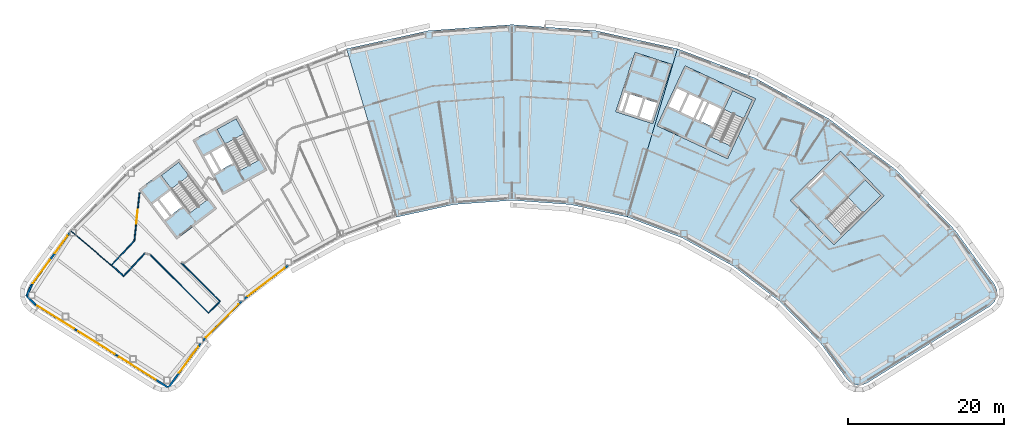
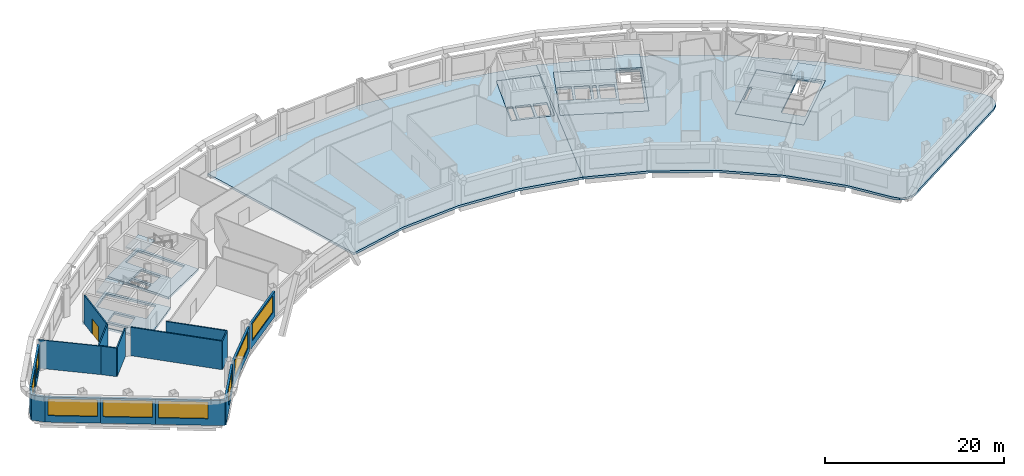
# One storey, part 4 of 16: 17 walls, 11 slabs, 8 windows, 1 door, 9 openings, 4 elements without a shape of their own.
"""IFC4 building model written with IfcOpenShell, lengths in metres."""

from ifc_helpers import new_model, si_unit, direction, frame, frame_2d, origin, place, context, subcontext, project, spatial, polyline, rectangle, outline, extrude, material, layer, layer_set, type_object, element, fill, aggregate, save


model = new_model("IFC4")

# Units and contexts
model_context = context("Model", 3, precision=1e-05, world=origin(), true_north=direction((0.0, 1.0)))
body_context = subcontext(model_context, "Body", "Model", "MODEL_VIEW")
ifc_project = project(units=[si_unit("LENGTHUNIT", "METRE"), si_unit("AREAUNIT", "SQUARE_METRE"), si_unit("VOLUMEUNIT", "CUBIC_METRE"), si_unit("PLANEANGLEUNIT", "RADIAN"), si_unit("MASSUNIT", "GRAM", prefix="KILO")], contexts=[model_context])

# Site, building, storey
site_placement = place(None, origin())
site = spatial("IfcSite", under=ifc_project, at=site_placement, CompositionType="ELEMENT")
building_placement = place(site_placement, origin())
building = spatial("IfcBuilding", under=site, at=building_placement, Name="Tuul Gate Civic Tower", CompositionType="ELEMENT")
storey_placement = place(building_placement, frame((0.0, 0.0, 298.39990234375)))
storey = spatial("IfcBuildingStorey", under=building, at=storey_placement, Name="Level 67", CompositionType="ELEMENT", Elevation=298.39990234375)

# Slabs
ifc_material_1 = material(Name="Concrete C40/50", Category="concrete")
ifc_layer_1 = layer(ifc_material_1, 0.300048828125)
ifc_layer_set_1 = layer_set([ifc_layer_1], Name="Concrete C40/50")
slab_type_1 = type_object("IfcSlabType", Name="Core floor slab 300", PredefinedType="FLOOR", material=ifc_layer_set_1)
slab_1_placement = place(storey_placement, frame((0.0, 0.0, -0.2998046875)))
element("IfcSlab", 1, at=slab_1_placement, inside=storey, type_object=slab_type_1, Name="FLOOR SLAB", PredefinedType="FLOOR", context=body_context, shape_type="SweptSolid", body=[
    extrude(outline(polyline([(-31.10009765625, -13.7890625), (-35.946044921875, -7.423828125), (-41.11767578125, -11.361572265625), (-36.271484375, -17.726806640625), (-31.10009765625, -13.7890625)]), holes=[polyline([(-35.561767578125, -13.541259765625), (-37.1064453125, -11.512451171875), (-38.498779296875, -12.572509765625), (-36.9541015625, -14.6015625), (-35.561767578125, -13.541259765625)]), polyline([(-37.19287109375, -14.783203125), (-38.737548828125, -12.75439453125), (-39.45361328125, -13.299560546875), (-37.908935546875, -15.328369140625), (-37.19287109375, -14.783203125)]), polyline([(-32.33935546875, -12.65771484375), (-34.56591796875, -14.352783203125), (-38.229736328125, -9.54052734375), (-36.003173828125, -7.845458984375), (-32.33935546875, -12.65771484375)])]), origin(), (0.0, 0.0, 1.0), 0.2998046875),
])
slab_2_placement = place(storey_placement, frame((0.0, 0.0, -0.2998046875)))
element("IfcSlab", 2, at=slab_2_placement, inside=storey, type_object=slab_type_1, Name="FLOOR SLAB", PredefinedType="FLOOR", context=body_context, shape_type="SweptSolid", body=[
    extrude(outline(polyline([(-24.638916015625, -8.846923828125), (-28.51708984375, -1.849853515625), (-34.2021484375, -5.0009765625), (-30.32421875, -11.998046875), (-24.638916015625, -8.846923828125)]), holes=[polyline([(-29.0185546875, -7.958740234375), (-30.254638671875, -5.728515625), (-31.785400390625, -6.576904296875), (-30.54931640625, -8.80712890625), (-29.0185546875, -7.958740234375)]), polyline([(-30.8115234375, -8.95263671875), (-32.047607421875, -6.72216796875), (-32.8349609375, -7.158447265625), (-31.5986328125, -9.388916015625), (-30.8115234375, -8.95263671875)]), polyline([(-25.702392578125, -7.548828125), (-28.14990234375, -8.905517578125), (-31.08203125, -3.615234375), (-28.63427734375, -2.2587890625), (-25.702392578125, -7.548828125)])]), origin(), (0.0, 0.0, 1.0), 0.2998046875),
])
slab_3_placement = place(storey_placement, frame((0.0, 0.0, -0.2998046875)))
element("IfcSlab", 3, at=slab_3_placement, inside=storey, type_object=slab_type_1, Name="FLOOR SLAB", PredefinedType="FLOOR", context=body_context, shape_type="SweptSolid", body=[
    extrude(outline(polyline([(48.117919921875, -18.43310546875), (54.545166015625, -12.1328125), (48.945068359375, -6.419921875), (42.517822265625, -12.719970703125), (48.117919921875, -18.43310546875)]), holes=[polyline([(44.93896484375, -11.046875), (46.760009765625, -9.261962890625), (46.514892578125, -9.011962890625), (44.69384765625, -10.797119140625), (44.93896484375, -11.046875)]), polyline([(49.086181640625, -17.062744140625), (47.12744140625, -15.064208984375), (52.160888671875, -10.130126953125), (54.11962890625, -12.128662109375), (49.086181640625, -17.062744140625)])]), origin(), (0.0, 0.0, 1.0), 0.2998046875),
])
slab_4_placement = place(storey_placement, frame((0.0, 0.0, -0.2998046875)))
element("IfcSlab", 4, at=slab_4_placement, inside=storey, type_object=slab_type_1, Name="FLOOR SLAB", PredefinedType="FLOOR", context=body_context, shape_type="SweptSolid", body=[
    extrude(outline(polyline([(34.465087890625, -7.385986328125), (38.056884765625, 0.31787109375), (28.993896484375, 4.543701171875), (25.40185546875, -3.159912109375), (34.465087890625, -7.385986328125)]), holes=[polyline([(32.60888671875, -3.32080078125), (33.6865234375, -1.009765625), (32.1005859375, -0.27001953125), (31.02294921875, -2.581298828125), (32.60888671875, -3.32080078125)]), polyline([(30.0712890625, -2.137451171875), (31.14892578125, 0.173583984375), (29.562744140625, 0.9130859375), (28.4853515625, -1.39794921875), (30.0712890625, -2.137451171875)]), polyline([(30.751220703125, -2.454345703125), (31.82861328125, -0.143310546875), (31.4208984375, 0.046875), (30.34326171875, -2.264404296875), (30.751220703125, -2.454345703125)]), polyline([(28.21337890625, -1.27099609375), (29.291015625, 1.0400390625), (27.8408203125, 1.71630859375), (26.76318359375, -0.594970703125), (28.21337890625, -1.27099609375)]), polyline([(34.889892578125, -5.7626953125), (32.353759765625, -4.580078125), (35.120849609375, 1.354736328125), (37.6572265625, 0.17236328125), (34.889892578125, -5.7626953125)])]), origin(), (0.0, 0.0, 1.0), 0.2998046875),
])
ifc_material_2 = material(Name="Concrete C40/50", Category="concrete")
ifc_layer_2 = layer(ifc_material_2, 0.300048828125)
ifc_layer_set_2 = layer_set([ifc_layer_2], Name="Concrete C40/50")
slab_type_2 = type_object("IfcSlabType", Name="Core floor slab 300 non-bearing", PredefinedType="FLOOR", material=ifc_layer_set_2)
slab_5_placement = place(storey_placement, frame((0.0, 0.0, -0.2998046875)))
element("IfcSlab", 5, at=slab_5_placement, inside=storey, type_object=slab_type_2, Name="FLOOR SLAB", PredefinedType="FLOOR", context=body_context, shape_type="SweptSolid", body=[
    extrude(outline(polyline([(24.864990234375, -2.888916015625), (27.337890625, 4.71923828125), (22.58251953125, 6.264404296875), (20.109619140625, -1.343994140625), (24.864990234375, -2.888916015625)]), holes=[polyline([(24.67236328125, -2.510986328125), (25.414306640625, -0.228515625), (23.892578125, 0.265869140625), (23.150634765625, -2.0166015625), (24.67236328125, -2.510986328125)]), polyline([(22.865478515625, -1.923828125), (23.607177734375, 0.358642578125), (21.94287109375, 0.8994140625), (21.201171875, -1.383056640625), (22.865478515625, -1.923828125)]), polyline([(20.869384765625, -1.43310546875), (21.65771484375, 0.9921875), (21.0869140625, 1.177490234375), (20.298583984375, -1.24755859375), (20.869384765625, -1.43310546875)])]), origin(), (0.0, 0.0, 1.0), 0.2998046875),
])

# Stair, slab
ifc_material_3 = material(Name="Concrete C40/50", Category="concrete")
stair_type = type_object("IfcStairType", Name="Exit stair", PredefinedType="HALF_TURN_STAIR", material=ifc_material_3)
stair_1_placement = place(storey_placement, origin())
stair_1 = element("IfcStair", 6, at=stair_1_placement, inside=storey, type_object=stair_type, Name="Level 67 ST-1", PredefinedType="HALF_TURN_STAIR")
ifc_material_4 = material(Name="Concrete C40/50", Category="concrete")
ifc_layer_3 = layer(ifc_material_4, 0.199951171875)
ifc_layer_set_3 = layer_set([ifc_layer_3], Name="Concrete C40/50")
slab_type_3 = type_object("IfcSlabType", Name="Exit stair landing", PredefinedType="LANDING", material=ifc_layer_set_3)
slab_6_placement = place(storey_placement, frame((0.0, 0.0, 1.900146484375)))
slab_6 = element("IfcSlab", 7, at=slab_6_placement, type_object=slab_type_3, Name="ST-1 landing 1", PredefinedType="LANDING", context=body_context, shape_type="SweptSolid", body=[
    extrude(outline(polyline([(-34.699462890625, -9.554931640625), (-36.9287109375, -11.252197265625), (-38.23193359375, -9.540283203125), (-36.0029296875, -7.843017578125), (-34.699462890625, -9.554931640625)])), origin(), (0.0, 0.0, 1.0), 0.199951171875),
])
aggregate(stair_1, [slab_6])

stair_2_placement = place(storey_placement, origin())
stair_2 = element("IfcStair", 8, at=stair_2_placement, inside=storey, type_object=stair_type, Name="Level 67 ST-2", PredefinedType="HALF_TURN_STAIR")
slab_7_placement = place(storey_placement, frame((0.0, 0.0, 1.900146484375)))
slab_7 = element("IfcSlab", 9, at=slab_7_placement, type_object=slab_type_3, Name="ST-2 landing 1", PredefinedType="LANDING", context=body_context, shape_type="SweptSolid", body=[
    extrude(outline(polyline([(-27.5908203125, -4.138427734375), (-30.041015625, -5.49658203125), (-31.084228515625, -3.61474609375), (-28.6337890625, -2.256591796875), (-27.5908203125, -4.138427734375)])), origin(), (0.0, 0.0, 1.0), 0.199951171875),
])
aggregate(stair_2, [slab_7])

stair_3_placement = place(storey_placement, origin())
stair_3 = element("IfcStair", 10, at=stair_3_placement, inside=storey, type_object=stair_type, Name="Level 67 ST-3", PredefinedType="HALF_TURN_STAIR")
slab_8_placement = place(storey_placement, frame((0.0, 0.0, 1.900146484375)))
slab_8 = element("IfcSlab", 11, at=slab_8_placement, type_object=slab_type_3, Name="ST-3 landing 1", PredefinedType="LANDING", context=body_context, shape_type="SweptSolid", body=[
    extrude(outline(polyline([(51.871337890625, -14.3349609375), (49.91015625, -12.334228515625), (52.160888671875, -10.1279296875), (54.1220703125, -12.128662109375), (51.871337890625, -14.3349609375)])), origin(), (0.0, 0.0, 1.0), 0.199951171875),
])
aggregate(stair_3, [slab_8])

stair_4_placement = place(storey_placement, origin())
stair_4 = element("IfcStair", 12, at=stair_4_placement, inside=storey, type_object=stair_type, Name="Level 67 ST-4", PredefinedType="HALF_TURN_STAIR")
slab_9_placement = place(storey_placement, frame((0.0, 0.0, 1.900146484375)))
slab_9 = element("IfcSlab", 13, at=slab_9_placement, type_object=slab_type_3, Name="ST-4 landing 1", PredefinedType="LANDING", context=body_context, shape_type="SweptSolid", body=[
    extrude(outline(polyline([(36.538818359375, -2.230224609375), (33.999755859375, -1.046142578125), (35.1201171875, 1.35693359375), (37.659423828125, 0.173095703125), (36.538818359375, -2.230224609375)])), origin(), (0.0, 0.0, 1.0), 0.199951171875),
])
aggregate(stair_4, [slab_9])

# Slabs
ifc_material_5 = material(Name="Concrete C35/45", Category="concrete")
ifc_layer_4 = layer(ifc_material_5, 0.300048828125)
ifc_layer_set_4 = layer_set([ifc_layer_4], Name="Concrete C35/45")
slab_type_4 = type_object("IfcSlabType", Name="STR-FLOOR-SLAB-300", PredefinedType="FLOOR", material=ifc_layer_set_4)
slab_10_placement = place(storey_placement, frame((0.0, 0.0, -0.2998046875)))
element("IfcSlab", 14, at=slab_10_placement, inside=storey, type_object=slab_type_4, Name="Level 67/slab/M", PredefinedType="FLOOR", context=body_context, shape_type="SweptSolid", body=[
    extrude(outline(polyline([(21.60205078125, -14.883056640625), (28.035888671875, 6.739013671875), (17.52392578125, 9.054931640625), (6.7880859375, 9.8330078125), (-3.947998046875, 9.054931640625), (-14.4599609375, 6.739013671875), (-8.02587890625, -14.883056640625), (-0.697021484375, -13.26806640625), (6.7880859375, -12.72607421875), (14.27294921875, -13.26806640625), (21.60205078125, -14.883056640625)]), holes=[polyline([(20.110107421875, -1.343994140625), (22.58203125, 6.264892578125), (27.337890625, 4.719970703125), (24.864990234375, -2.888916015625), (20.110107421875, -1.343994140625)])]), origin(), (0.0, 0.0, 1.0), 0.2998046875),
])
slab_11_placement = place(storey_placement, frame((0.0, 0.0, -0.2998046875)))
element("IfcSlab", 15, at=slab_11_placement, inside=storey, type_object=slab_type_4, Name="Level 67/slab/E", PredefinedType="FLOOR", context=body_context, shape_type="SweptSolid", body=[
    extrude(outline(polyline([(51.719970703125, -36.427001953125), (52.4140625, -36.156005859375), (68.14404296875, -26.326904296875), (68.73388671875, -25.762939453125), (69.048095703125, -25.010009765625), (69.035888671875, -24.195068359375), (68.699951171875, -23.451904296875), (63.618896484375, -16.4951171875), (56.083984375, -8.80810546875), (47.51904296875, -2.287109375), (38.10498046875, 2.930908203125), (28.035888671875, 6.739013671875), (21.60205078125, -14.883056640625), (28.6220703125, -17.5380859375), (35.18603515625, -21.176025390625), (41.156982421875, -25.721923828125), (46.409912109375, -31.08203125), (49.739013671875, -35.639892578125), (50.282958984375, -36.14892578125), (50.97509765625, -36.424072265625), (51.719970703125, -36.427001953125)]), holes=[polyline([(48.117919921875, -18.43310546875), (42.51806640625, -12.719970703125), (48.945068359375, -6.419921875), (54.544921875, -12.133056640625), (48.117919921875, -18.43310546875)]), polyline([(25.402099609375, -3.159912109375), (28.993896484375, 4.5439453125), (38.056884765625, 0.318115234375), (34.465087890625, -7.385986328125), (25.402099609375, -3.159912109375)])]), origin(), (0.0, 0.0, 1.0), 0.2998046875),
])

# Wall, opening, door
ifc_material_6 = material(Name="Gypsum board partition")
ifc_layer_5 = layer(ifc_material_6, 0.14990234375)
ifc_layer_set_5 = layer_set([ifc_layer_5], Name="Gypsum board partition")
wall_type_1 = type_object("IfcWallType", Name="Corridor wall P150", PredefinedType="PARTITIONING", material=ifc_layer_set_5)
wall_1_placement = place(storey_placement, frame((-41.693603515625, -17.896484375, 0.0), z_axis=(0.0, 0.0, 1.0), x_axis=(0.107454503647, 0.994210002789, 0.0)))
wall_1 = element("IfcWall", 16, at=wall_1_placement, inside=storey, type_object=wall_type_1, Name="p044", PredefinedType="PARTITIONING", context=body_context, shape_type="SweptSolid", body=[
    extrude(rectangle(XDim=6.20263671875, YDim=0.14990234375, at=frame_2d((3.101318359375, 0.0))), origin(), (0.0, 0.0, 1.0), 3.900146484375),
])
opening_1_placement = place(wall_1_placement, frame((2.201416015625, 0.0, 0.0)))
opening_1 = element("IfcOpeningElement", 17, at=opening_1_placement, cuts=wall_1, Name="Opening Y-D06", PredefinedType="OPENING", context=body_context, shape_type="SweptSolid", body=[
    extrude(rectangle(XDim=1.800048828125, YDim=2.10009765625, at=frame_2d((0.89990234375, 1.050048828125))), frame((0.0, 0.0849609375, 0.0), z_axis=(0.0, -1.0, 0.0), x_axis=(1.0, 0.0, 0.0)), (0.0, 0.0, 1.0), 0.169921875),
])
ifc_material_7 = material(Name="Timber door leaf, double", Category="wood")
door_type = type_object("IfcDoorType", Name="Door D18", OperationType="DOUBLE_DOOR_SINGLE_SWING", PredefinedType="DOOR", material=ifc_material_7)
door_placement = place(opening_1_placement, origin())
door = element("IfcDoor", 18, at=door_placement, inside=storey, type_object=door_type, Name="Door Y-D06", OperationType="DOUBLE_DOOR_SINGLE_SWING", OverallHeight=2.10009765625, OverallWidth=1.800048828125, PredefinedType="DOOR", context=body_context, shape_type="SweptSolid", body=[
    extrude(rectangle(XDim=1.800048828125, YDim=2.10009765625, at=frame_2d((0.89990234375, 1.050048828125))), frame((0.0, 0.02490234375, 0.0), z_axis=(0.0, -1.0, 0.0), x_axis=(1.0, 0.0, 0.0)), (0.0, 0.0, 1.0), 0.050048828125),
])
fill(opening_1, door)

# Walls
wall_2_placement = place(storey_placement, frame((-44.6142578125, -21.029052734375, 0.0), z_axis=(0.0, 0.0, 1.0), x_axis=(0.68265633177, 0.730739579259, 0.0)))
element("IfcWall", 19, at=wall_2_placement, inside=storey, type_object=wall_type_1, Name="p045", PredefinedType="PARTITIONING", context=body_context, shape_type="SweptSolid", body=[
    extrude(rectangle(XDim=4.27001953125, YDim=0.14990234375, at=frame_2d((2.135009765625, 0.0))), origin(), (0.0, 0.0, 1.0), 3.900146484375),
])
wall_3_placement = place(storey_placement, frame((-44.39306640625, -21.236572265625, 0.0), z_axis=(0.0, 0.0, 1.0), x_axis=(0.730747937215, -0.682647385007, 0.0)))
element("IfcWall", 20, at=wall_3_placement, inside=storey, type_object=wall_type_1, Name="p046", PredefinedType="PARTITIONING", context=body_context, shape_type="SweptSolid", body=[
    extrude(rectangle(XDim=1.796875, YDim=0.14990234375, at=frame_2d((0.8984375, 0.0))), origin(), (0.0, 0.0, 1.0), 3.900146484375),
])
wall_4_placement = place(storey_placement, frame((-43.080078125, -22.463134765625, 0.0), z_axis=(0.0, 0.0, 1.0), x_axis=(0.682698460931, 0.730700219955, 0.0)))
element("IfcWall", 21, at=wall_4_placement, inside=storey, type_object=wall_type_1, Name="p078", PredefinedType="PARTITIONING", context=body_context, shape_type="SweptSolid", body=[
    extrude(rectangle(XDim=4.002685546875, YDim=0.14990234375, at=frame_2d((2.00146484375, 0.0))), origin(), (0.0, 0.0, 1.0), 3.900146484375),
])
wall_5_placement = place(storey_placement, frame((-39.660400390625, -19.703369140625, 0.0), z_axis=(0.0, 0.0, 1.0), x_axis=(0.707106781187, -0.707106781187, 0.0)))
element("IfcWall", 22, at=wall_5_placement, inside=storey, type_object=wall_type_1, Name="p081", PredefinedType="PARTITIONING", context=body_context, shape_type="SweptSolid", body=[
    extrude(rectangle(XDim=10.580078125, YDim=0.14990234375, at=frame_2d((5.2900390625, 0.0))), origin(), (0.0, 0.0, 1.0), 3.900146484375),
])
wall_6_placement = place(storey_placement, frame((-32.17919921875, -27.1845703125, 0.0), z_axis=(0.0, 0.0, 1.0), x_axis=(0.707164905125, 0.70704865247, 0.0)))
element("IfcWall", 23, at=wall_6_placement, inside=storey, type_object=wall_type_1, Name="p082", PredefinedType="PARTITIONING", context=body_context, shape_type="SweptSolid", body=[
    extrude(rectangle(XDim=2.10009765625, YDim=0.14990234375, at=frame_2d((1.050048828125, 0.0))), origin(), (0.0, 0.0, 1.0), 3.900146484375),
])
wall_7_placement = place(storey_placement, frame((-35.668701171875, -20.72509765625, 0.0), z_axis=(0.0, 0.0, 1.0), x_axis=(0.707106781187, -0.707106781187, 0.0)))
element("IfcWall", 24, at=wall_7_placement, inside=storey, type_object=wall_type_1, Name="p083", PredefinedType="PARTITIONING", context=body_context, shape_type="SweptSolid", body=[
    extrude(rectangle(XDim=7.03515625, YDim=0.14990234375, at=frame_2d((3.517578125, 0.0))), origin(), (0.0, 0.0, 1.0), 3.900146484375),
])

# Wall, openings, windows
ifc_material_8 = material(Name="Precast concrete C40/50", Category="concrete")
ifc_layer_6 = layer(ifc_material_8, 0.25)
ifc_layer_set_6 = layer_set([ifc_layer_6], Name="Precast concrete C40/50")
wall_type_2 = type_object("IfcWallType", Name="External wall", PredefinedType="STANDARD", material=ifc_layer_set_6)
wall_8_placement = place(storey_placement, frame((-49.98388671875, -16.880615234375, 0.0), z_axis=(0.0, 0.0, 1.0), x_axis=(-0.589770614985, -0.807570815285, 0.0)))
wall_8 = element("IfcWall", 25, at=wall_8_placement, inside=storey, type_object=wall_type_2, Name="External wall", PredefinedType="STANDARD", context=body_context, shape_type="SweptSolid", body=[
    extrude(rectangle(XDim=8.337646484375, YDim=0.25, at=frame_2d((4.1689453125, 0.0))), origin(), (0.0, 0.0, 1.0), 3.4501953125),
])
opening_2_placement = place(wall_8_placement, frame((0.48486328125, 0.0, 0.89990234375)))
opening_2 = element("IfcOpeningElement", 26, at=opening_2_placement, cuts=wall_8, Name="Opening W23", PredefinedType="OPENING", context=body_context, shape_type="SweptSolid", body=[
    extrude(rectangle(XDim=2.800048828125, YDim=2.300048828125, at=frame_2d((1.39990234375, 1.14990234375))), frame((0.0, 0.135009765625, 0.0), z_axis=(0.0, -1.0, 0.0), x_axis=(1.0, 0.0, 0.0)), (0.0, 0.0, 1.0), 0.27001953125),
])
opening_3_placement = place(wall_8_placement, frame((4.33642578125, 0.0, 0.89990234375)))
opening_3 = element("IfcOpeningElement", 27, at=opening_3_placement, cuts=wall_8, Name="Opening W21", PredefinedType="OPENING", context=body_context, shape_type="SweptSolid", body=[
    extrude(rectangle(XDim=3.699951171875, YDim=2.300048828125, at=frame_2d((1.85009765625, 1.14990234375))), frame((0.0, 0.135009765625, 0.0), z_axis=(0.0, -1.0, 0.0), x_axis=(1.0, 0.0, 0.0)), (0.0, 0.0, 1.0), 0.27001953125),
])
ifc_material_9 = material(Name="Glass", Category="glass")
window_type_1 = type_object("IfcWindowType", Name="Window W21 3700 x 2300", PartitioningType="SINGLE_PANEL", PredefinedType="WINDOW", material=ifc_material_9)
window_1_placement = place(opening_3_placement, origin())
window_1 = element("IfcWindow", 28, at=window_1_placement, inside=storey, type_object=window_type_1, Name="Window", OverallHeight=2.300048828125, OverallWidth=3.699951171875, PartitioningType="SINGLE_PANEL", PredefinedType="WINDOW", context=body_context, shape_type="SweptSolid", body=[
    extrude(rectangle(XDim=3.699951171875, YDim=2.300048828125, at=frame_2d((1.85009765625, 1.14990234375))), frame((0.0, 0.030029296875, 0.0), z_axis=(0.0, -1.0, 0.0), x_axis=(1.0, 0.0, 0.0)), (0.0, 0.0, 1.0), 0.06005859375),
])
fill(opening_3, window_1)
ifc_material_10 = material(Name="Glass", Category="glass")
window_type_2 = type_object("IfcWindowType", Name="Window W23 2800 x 2300", PartitioningType="SINGLE_PANEL", PredefinedType="WINDOW", material=ifc_material_10)
window_2_placement = place(opening_2_placement, origin())
window_2 = element("IfcWindow", 29, at=window_2_placement, inside=storey, type_object=window_type_2, Name="Window", OverallHeight=2.300048828125, OverallWidth=2.800048828125, PartitioningType="SINGLE_PANEL", PredefinedType="WINDOW", context=body_context, shape_type="SweptSolid", body=[
    extrude(rectangle(XDim=2.800048828125, YDim=2.300048828125, at=frame_2d((1.39990234375, 1.14990234375))), frame((0.0, 0.030029296875, 0.0), z_axis=(0.0, -1.0, 0.0), x_axis=(1.0, 0.0, 0.0)), (0.0, 0.0, 1.0), 0.06005859375),
])
fill(opening_2, window_2)

# Walls
wall_9_placement = place(storey_placement, frame((-54.88818359375, -23.591796875, 0.0), z_axis=(0.0, 0.0, 1.0), x_axis=(-0.413556849361, -0.910478298669, 0.0)))
element("IfcWall", 30, at=wall_9_placement, inside=storey, type_object=wall_type_2, Name="External wall", PredefinedType="STANDARD", context=body_context, shape_type="SweptSolid", body=[
    extrude(rectangle(XDim=1.56982421875, YDim=0.25, at=frame_2d((0.784912109375, 0.0))), origin(), (0.0, 0.0, 1.0), 3.4501953125),
])
wall_10_placement = place(storey_placement, frame((-55.537353515625, -25.02099609375, 0.0), z_axis=(0.0, 0.0, 1.0), x_axis=(0.721623018899, -0.692286225917, 0.0)))
element("IfcWall", 31, at=wall_10_placement, inside=storey, type_object=wall_type_2, Name="External wall", PredefinedType="STANDARD", context=body_context, shape_type="SweptSolid", body=[
    extrude(rectangle(XDim=1.57275390625, YDim=0.25, at=frame_2d((0.786376953125, 0.0))), origin(), (0.0, 0.0, 1.0), 3.4501953125),
])

# Wall, opening, window
wall_11_placement = place(storey_placement, frame((-54.4228515625, -26.093994140625, 0.0), z_axis=(0.0, 0.0, 1.0), x_axis=(0.848053758074, -0.529910203164, 0.0)))
wall_11 = element("IfcWall", 32, at=wall_11_placement, inside=storey, type_object=wall_type_2, Name="External wall", PredefinedType="STANDARD", context=body_context, shape_type="SweptSolid", body=[
    extrude(rectangle(XDim=6.182861328125, YDim=0.25, at=frame_2d((3.09130859375, 0.0))), origin(), (0.0, 0.0, 1.0), 3.4501953125),
])
opening_4_placement = place(wall_11_placement, frame((0.31640625, 0.0, 0.89990234375)))
opening_4 = element("IfcOpeningElement", 33, at=opening_4_placement, cuts=wall_11, Name="Opening W24", PredefinedType="OPENING", context=body_context, shape_type="SweptSolid", body=[
    extrude(rectangle(XDim=5.550048828125, YDim=2.300048828125, at=frame_2d((2.77490234375, 1.14990234375))), frame((0.0, 0.135009765625, 0.0), z_axis=(0.0, -1.0, 0.0), x_axis=(1.0, 0.0, 0.0)), (0.0, 0.0, 1.0), 0.27001953125),
])
ifc_material_11 = material(Name="Glass", Category="glass")
window_type_3 = type_object("IfcWindowType", Name="Window W24 5550 x 2300", PartitioningType="SINGLE_PANEL", PredefinedType="WINDOW", material=ifc_material_11)
window_3_placement = place(opening_4_placement, origin())
window_3 = element("IfcWindow", 34, at=window_3_placement, inside=storey, type_object=window_type_3, Name="Window", OverallHeight=2.300048828125, OverallWidth=5.550048828125, PartitioningType="SINGLE_PANEL", PredefinedType="WINDOW", context=body_context, shape_type="SweptSolid", body=[
    extrude(rectangle(XDim=5.550048828125, YDim=2.300048828125, at=frame_2d((2.77490234375, 1.14990234375))), frame((0.0, 0.030029296875, 0.0), z_axis=(0.0, -1.0, 0.0), x_axis=(1.0, 0.0, 0.0)), (0.0, 0.0, 1.0), 0.06005859375),
])
fill(opening_4, window_3)

wall_12_placement = place(storey_placement, frame((-49.179443359375, -29.370361328125, 0.0), z_axis=(0.0, 0.0, 1.0), x_axis=(0.848053758074, -0.529910203164, 0.0)))
wall_12 = element("IfcWall", 35, at=wall_12_placement, inside=storey, type_object=wall_type_2, Name="External wall", PredefinedType="STANDARD", context=body_context, shape_type="SweptSolid", body=[
    extrude(rectangle(XDim=6.182861328125, YDim=0.25, at=frame_2d((3.09130859375, 0.0))), origin(), (0.0, 0.0, 1.0), 3.4501953125),
])
opening_5_placement = place(wall_12_placement, frame((0.31640625, 0.0, 0.89990234375)))
opening_5 = element("IfcOpeningElement", 36, at=opening_5_placement, cuts=wall_12, Name="Opening W24", PredefinedType="OPENING", context=body_context, shape_type="SweptSolid", body=[
    extrude(rectangle(XDim=5.550048828125, YDim=2.300048828125, at=frame_2d((2.77490234375, 1.14990234375))), frame((0.0, 0.135009765625, 0.0), z_axis=(0.0, -1.0, 0.0), x_axis=(1.0, 0.0, 0.0)), (0.0, 0.0, 1.0), 0.27001953125),
])
window_4_placement = place(opening_5_placement, origin())
window_4 = element("IfcWindow", 37, at=window_4_placement, inside=storey, type_object=window_type_3, Name="Window", OverallHeight=2.300048828125, OverallWidth=5.550048828125, PartitioningType="SINGLE_PANEL", PredefinedType="WINDOW", context=body_context, shape_type="SweptSolid", body=[
    extrude(rectangle(XDim=5.550048828125, YDim=2.300048828125, at=frame_2d((2.77490234375, 1.14990234375))), frame((0.0, 0.030029296875, 0.0), z_axis=(0.0, -1.0, 0.0), x_axis=(1.0, 0.0, 0.0)), (0.0, 0.0, 1.0), 0.06005859375),
])
fill(opening_5, window_4)

wall_13_placement = place(storey_placement, frame((-43.93603515625, -32.646728515625, 0.0), z_axis=(0.0, 0.0, 1.0), x_axis=(0.848051131154, -0.529914407191, 0.0)))
wall_13 = element("IfcWall", 38, at=wall_13_placement, inside=storey, type_object=wall_type_2, Name="External wall", PredefinedType="STANDARD", context=body_context, shape_type="SweptSolid", body=[
    extrude(rectangle(XDim=7.788330078125, YDim=0.25, at=frame_2d((3.89404296875, 0.0))), origin(), (0.0, 0.0, 1.0), 3.4501953125),
])
opening_6_placement = place(wall_13_placement, frame((0.31640625, 0.0, 0.89990234375)))
opening_6 = element("IfcOpeningElement", 39, at=opening_6_placement, cuts=wall_13, Name="Opening W24", PredefinedType="OPENING", context=body_context, shape_type="SweptSolid", body=[
    extrude(rectangle(XDim=5.550048828125, YDim=2.300048828125, at=frame_2d((2.77490234375, 1.14990234375))), frame((0.0, 0.135009765625, 0.0), z_axis=(0.0, -1.0, 0.0), x_axis=(1.0, 0.0, 0.0)), (0.0, 0.0, 1.0), 0.27001953125),
])
window_5_placement = place(opening_6_placement, origin())
window_5 = element("IfcWindow", 40, at=window_5_placement, inside=storey, type_object=window_type_3, Name="Window", OverallHeight=2.300048828125, OverallWidth=5.550048828125, PartitioningType="SINGLE_PANEL", PredefinedType="WINDOW", context=body_context, shape_type="SweptSolid", body=[
    extrude(rectangle(XDim=5.550048828125, YDim=2.300048828125, at=frame_2d((2.77490234375, 1.14990234375))), frame((0.0, 0.030029296875, 0.0), z_axis=(0.0, -1.0, 0.0), x_axis=(1.0, 0.0, 0.0)), (0.0, 0.0, 1.0), 0.06005859375),
])
fill(opening_6, window_5)

wall_14_placement = place(storey_placement, frame((-37.3310546875, -36.77392578125, 0.0), z_axis=(0.0, 0.0, 1.0), x_axis=(0.589738966527, 0.807593927267, 0.0)))
wall_14 = element("IfcWall", 41, at=wall_14_placement, inside=storey, type_object=wall_type_2, Name="External wall", PredefinedType="STANDARD", context=body_context, shape_type="SweptSolid", body=[
    extrude(rectangle(XDim=7.034423828125, YDim=0.25, at=frame_2d((3.51708984375, 0.0))), origin(), (0.0, 0.0, 1.0), 3.4501953125),
])
opening_7_placement = place(wall_14_placement, frame((2.356689453125, 0.0, 0.89990234375)))
opening_7 = element("IfcOpeningElement", 42, at=opening_7_placement, cuts=wall_14, Name="Opening W25", PredefinedType="OPENING", context=body_context, shape_type="SweptSolid", body=[
    extrude(rectangle(XDim=4.14990234375, YDim=2.300048828125, at=frame_2d((2.074951171875, 1.14990234375))), frame((0.0, 0.135009765625, 0.0), z_axis=(0.0, -1.0, 0.0), x_axis=(1.0, 0.0, 0.0)), (0.0, 0.0, 1.0), 0.27001953125),
])
ifc_material_12 = material(Name="Glass", Category="glass")
window_type_4 = type_object("IfcWindowType", Name="Window W25 4150 x 2300", PartitioningType="SINGLE_PANEL", PredefinedType="WINDOW", material=ifc_material_12)
window_6_placement = place(opening_7_placement, origin())
window_6 = element("IfcWindow", 43, at=window_6_placement, inside=storey, type_object=window_type_4, Name="Window", OverallHeight=2.300048828125, OverallWidth=4.14990234375, PartitioningType="SINGLE_PANEL", PredefinedType="WINDOW", context=body_context, shape_type="SweptSolid", body=[
    extrude(rectangle(XDim=4.14990234375, YDim=2.300048828125, at=frame_2d((2.074951171875, 1.14990234375))), frame((0.0, 0.030029296875, 0.0), z_axis=(0.0, -1.0, 0.0), x_axis=(1.0, 0.0, 0.0)), (0.0, 0.0, 1.0), 0.06005859375),
])
fill(opening_7, window_6)

wall_15_placement = place(storey_placement, frame((-32.89306640625, -30.749267578125, 0.0), z_axis=(0.0, 0.0, 1.0), x_axis=(0.700033997015, 0.714109517528, 0.0)))
wall_15 = element("IfcWall", 44, at=wall_15_placement, inside=storey, type_object=wall_type_2, Name="External wall", PredefinedType="STANDARD", context=body_context, shape_type="SweptSolid", body=[
    extrude(rectangle(XDim=7.111572265625, YDim=0.25, at=frame_2d((3.5556640625, 0.0))), origin(), (0.0, 0.0, 1.0), 3.4501953125),
])
opening_8_placement = place(wall_15_placement, frame((0.555908203125, 0.0, 0.89990234375)))
opening_8 = element("IfcOpeningElement", 45, at=opening_8_placement, cuts=wall_15, Name="Opening W26", PredefinedType="OPENING", context=body_context, shape_type="SweptSolid", body=[
    extrude(rectangle(XDim=6.0, YDim=2.300048828125, at=frame_2d((3.0, 1.14990234375))), frame((0.0, 0.135009765625, 0.0), z_axis=(0.0, -1.0, 0.0), x_axis=(1.0, 0.0, 0.0)), (0.0, 0.0, 1.0), 0.27001953125),
])
ifc_material_13 = material(Name="Glass", Category="glass")
window_type_5 = type_object("IfcWindowType", Name="Window W26 6000 x 2300", PartitioningType="SINGLE_PANEL", PredefinedType="WINDOW", material=ifc_material_13)
window_7_placement = place(opening_8_placement, origin())
window_7 = element("IfcWindow", 46, at=window_7_placement, inside=storey, type_object=window_type_5, Name="Window", OverallHeight=2.300048828125, OverallWidth=6.0, PartitioningType="SINGLE_PANEL", PredefinedType="WINDOW", context=body_context, shape_type="SweptSolid", body=[
    extrude(rectangle(XDim=6.0, YDim=2.300048828125, at=frame_2d((3.0, 1.14990234375))), frame((0.0, 0.030029296875, 0.0), z_axis=(0.0, -1.0, 0.0), x_axis=(1.0, 0.0, 0.0)), (0.0, 0.0, 1.0), 0.06005859375),
])
fill(opening_8, window_7)

wall_16_placement = place(storey_placement, frame((-27.5791015625, -25.3759765625, 0.0), z_axis=(0.0, 0.0, 1.0), x_axis=(0.795582375141, 0.605845429433, 0.0)))
wall_16 = element("IfcWall", 47, at=wall_16_placement, inside=storey, type_object=wall_type_2, Name="External wall", PredefinedType="STANDARD", context=body_context, shape_type="SweptSolid", body=[
    extrude(rectangle(XDim=7.10400390625, YDim=0.25, at=frame_2d((3.552001953125, 0.0))), origin(), (0.0, 0.0, 1.0), 3.4501953125),
])
opening_9_placement = place(wall_16_placement, frame((0.541259765625, 0.0, 0.89990234375)))
opening_9 = element("IfcOpeningElement", 48, at=opening_9_placement, cuts=wall_16, Name="Opening W26", PredefinedType="OPENING", context=body_context, shape_type="SweptSolid", body=[
    extrude(rectangle(XDim=6.0, YDim=2.300048828125, at=frame_2d((3.0, 1.14990234375))), frame((0.0, 0.135009765625, 0.0), z_axis=(0.0, -1.0, 0.0), x_axis=(1.0, 0.0, 0.0)), (0.0, 0.0, 1.0), 0.27001953125),
])
window_8_placement = place(opening_9_placement, origin())
window_8 = element("IfcWindow", 49, at=window_8_placement, inside=storey, type_object=window_type_5, Name="Window", OverallHeight=2.300048828125, OverallWidth=6.0, PartitioningType="SINGLE_PANEL", PredefinedType="WINDOW", context=body_context, shape_type="SweptSolid", body=[
    extrude(rectangle(XDim=6.0, YDim=2.300048828125, at=frame_2d((3.0, 1.14990234375))), frame((0.0, 0.030029296875, 0.0), z_axis=(0.0, -1.0, 0.0), x_axis=(1.0, 0.0, 0.0)), (0.0, 0.0, 1.0), 0.06005859375),
])
fill(opening_9, window_8)

# Wall
ifc_material_14 = material(Name="Gypsum board partition")
ifc_layer_7 = layer(ifc_material_14, 0.10009765625)
ifc_layer_set_7 = layer_set([ifc_layer_7], Name="Gypsum board partition")
wall_type_3 = type_object("IfcWallType", Name="Partition P100", PredefinedType="PARTITIONING", material=ifc_layer_set_7)
wall_17_placement = place(storey_placement, frame((-49.83642578125, -16.669921875, 0.0), z_axis=(0.0, 0.0, 1.0), x_axis=(0.762820003428, -0.646610889461, 0.0)))
element("IfcWall", 50, at=wall_17_placement, inside=storey, type_object=wall_type_3, Name="p036", PredefinedType="PARTITIONING", context=body_context, shape_type="SweptSolid", body=[
    extrude(rectangle(XDim=7.100830078125, YDim=0.10009765625, at=frame_2d((3.55029296875, 0.0))), origin(), (0.0, 0.0, 1.0), 3.900146484375),
])

save(model, "model.ifc")
